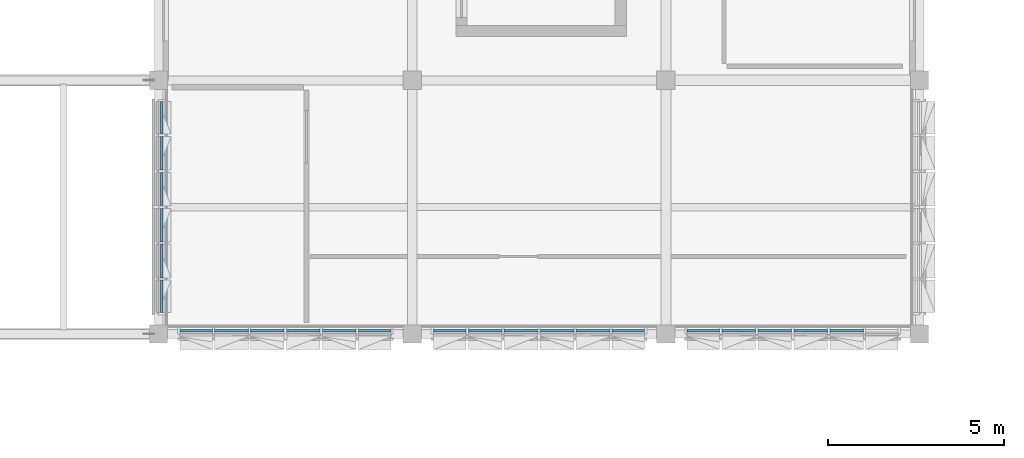
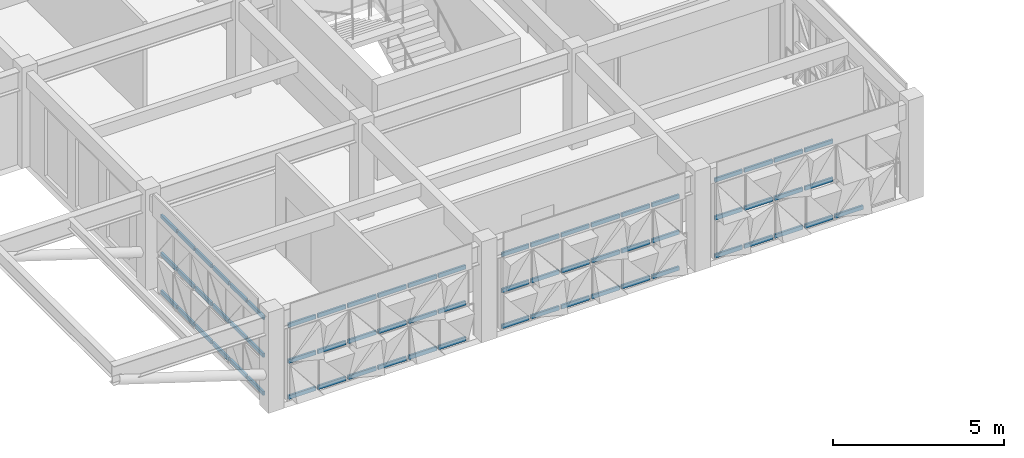
# One storey, part 14 of 48: 67 members, 4 elements without a shape of their own.
"""IFC4 building model written with IfcOpenShell, lengths in metres."""

from ifc_helpers import new_model, si_unit, direction, frame, origin, origin_2d, place, context, subcontext, project, spatial, rectangle, extrude, material, material_profile, profile_set, type_object, element, aggregate, save


model = new_model("IFC4")

# Units and contexts
model_context = context("Model", 3, precision=1e-05, world=origin(), true_north=direction((0.0, 1.0)))
body_context = subcontext(model_context, "Body", "Model", "MODEL_VIEW")
ifc_project = project(units=[si_unit("LENGTHUNIT", "METRE"), si_unit("AREAUNIT", "SQUARE_METRE"), si_unit("VOLUMEUNIT", "CUBIC_METRE"), si_unit("PLANEANGLEUNIT", "RADIAN"), si_unit("MASSUNIT", "GRAM", prefix="KILO")], contexts=[model_context])

# Site, building, storey
site_placement = place(None, origin())
site = spatial("IfcSite", under=ifc_project, at=site_placement, CompositionType="ELEMENT")
building_placement = place(site_placement, origin())
building = spatial("IfcBuilding", under=site, at=building_placement, Name="Alvorim Cloister Faculty of Sciences", CompositionType="ELEMENT")
storey_placement = place(building_placement, frame((0.0, 0.0, 19.35009765625)))
storey = spatial("IfcBuildingStorey", under=building, at=storey_placement, Name="L05", CompositionType="ELEMENT", Elevation=19.35009765625)

# Curtain wall, members
ifc_material_1 = material(Name="Aluminium and Low-E Glass Curtain Wall", Category="aluminium")
curtain_wall_type_1 = type_object("IfcCurtainWallType", Name="CW-TRI-6120x2850", PredefinedType="USERDEFINED", material=ifc_material_1)
curtain_wall_1_placement = place(storey_placement, origin())
curtain_wall_1 = element("IfcCurtainWall", 1, at=curtain_wall_1_placement, inside=storey, type_object=curtain_wall_type_1, Name="L05 Diagonal Cassette Curtain Wall CW-0213", ObjectType="UNITISED CURTAIN WALL", PredefinedType="USERDEFINED")
ifc_material_2 = material(Name="Aluminium Alloy 6063-T6", Category="aluminium")
ifc_material_profile = material_profile(ifc_material_2, rectangle(XDim=0.06494140625, YDim=0.139892578125, at=origin_2d()), Name="ALU-TRN-65x140")
ifc_profile_set = profile_set([ifc_material_profile], Name="Aluminium Alloy 6063-T6")
member_type = type_object("IfcMemberType", Name="CW-TRN-65x140", PredefinedType="USERDEFINED", material=ifc_profile_set)
member_1_placement = place(storey_placement, frame((7.2900390625, 7.804931640625, 0.06982421875), z_axis=(0.0, 1.0, 0.0), x_axis=(-1.0, 0.0, 0.0)))
member_1 = element("IfcMember", 2, at=member_1_placement, type_object=member_type, Name="CW-0213 Transom 1.1", ObjectType="TRANSOM", PredefinedType="USERDEFINED", context=body_context, shape_type="SweptSolid", body=[
    extrude(rectangle(XDim=0.06494140625, YDim=0.139892578125, at=origin_2d()), origin(), (0.0, 0.0, 1.0), 0.922607421875),
])
member_2_placement = place(storey_placement, frame((7.2900390625, 7.804931640625, 1.4248046875), z_axis=(0.0, 1.0, 0.0), x_axis=(-1.0, 0.0, 0.0)))
member_2 = element("IfcMember", 3, at=member_2_placement, type_object=member_type, Name="CW-0213 Transom 1.2", ObjectType="TRANSOM", PredefinedType="USERDEFINED", context=body_context, shape_type="SweptSolid", body=[
    extrude(rectangle(XDim=0.06494140625, YDim=0.139892578125, at=origin_2d()), origin(), (0.0, 0.0, 1.0), 0.922607421875),
])
member_3_placement = place(storey_placement, frame((7.2900390625, 7.804931640625, 2.77978515625), z_axis=(0.0, 1.0, 0.0), x_axis=(-1.0, 0.0, 0.0)))
member_3 = element("IfcMember", 4, at=member_3_placement, type_object=member_type, Name="CW-0213 Transom 1.3", ObjectType="TRANSOM", PredefinedType="USERDEFINED", context=body_context, shape_type="SweptSolid", body=[
    extrude(rectangle(XDim=0.06494140625, YDim=0.139892578125, at=origin_2d()), origin(), (0.0, 0.0, 1.0), 0.922607421875),
])
member_4_placement = place(storey_placement, frame((7.2900390625, 8.79248046875, 0.06982421875), z_axis=(0.0, 1.0, 0.0), x_axis=(-1.0, 0.0, 0.0)))
member_4 = element("IfcMember", 5, at=member_4_placement, type_object=member_type, Name="CW-0213 Transom 2.1", ObjectType="TRANSOM", PredefinedType="USERDEFINED", context=body_context, shape_type="SweptSolid", body=[
    extrude(rectangle(XDim=0.06494140625, YDim=0.139892578125, at=origin_2d()), origin(), (0.0, 0.0, 1.0), 0.955078125),
])
member_5_placement = place(storey_placement, frame((7.2900390625, 8.79248046875, 1.4248046875), z_axis=(0.0, 1.0, 0.0), x_axis=(-1.0, 0.0, 0.0)))
member_5 = element("IfcMember", 6, at=member_5_placement, type_object=member_type, Name="CW-0213 Transom 2.2", ObjectType="TRANSOM", PredefinedType="USERDEFINED", context=body_context, shape_type="SweptSolid", body=[
    extrude(rectangle(XDim=0.06494140625, YDim=0.139892578125, at=origin_2d()), origin(), (0.0, 0.0, 1.0), 0.955078125),
])
member_6_placement = place(storey_placement, frame((7.2900390625, 8.79248046875, 2.77978515625), z_axis=(0.0, 1.0, 0.0), x_axis=(-1.0, 0.0, 0.0)))
member_6 = element("IfcMember", 7, at=member_6_placement, type_object=member_type, Name="CW-0213 Transom 2.3", ObjectType="TRANSOM", PredefinedType="USERDEFINED", context=body_context, shape_type="SweptSolid", body=[
    extrude(rectangle(XDim=0.06494140625, YDim=0.139892578125, at=origin_2d()), origin(), (0.0, 0.0, 1.0), 0.955078125),
])
member_7_placement = place(storey_placement, frame((7.2900390625, 9.8125, 0.06982421875), z_axis=(0.0, 1.0, 0.0), x_axis=(-1.0, 0.0, 0.0)))
member_7 = element("IfcMember", 8, at=member_7_placement, type_object=member_type, Name="CW-0213 Transom 3.1", ObjectType="TRANSOM", PredefinedType="USERDEFINED", context=body_context, shape_type="SweptSolid", body=[
    extrude(rectangle(XDim=0.06494140625, YDim=0.139892578125, at=origin_2d()), origin(), (0.0, 0.0, 1.0), 0.955078125),
])
member_8_placement = place(storey_placement, frame((7.2900390625, 9.8125, 1.4248046875), z_axis=(0.0, 1.0, 0.0), x_axis=(-1.0, 0.0, 0.0)))
member_8 = element("IfcMember", 9, at=member_8_placement, type_object=member_type, Name="CW-0213 Transom 3.2", ObjectType="TRANSOM", PredefinedType="USERDEFINED", context=body_context, shape_type="SweptSolid", body=[
    extrude(rectangle(XDim=0.06494140625, YDim=0.139892578125, at=origin_2d()), origin(), (0.0, 0.0, 1.0), 0.955078125),
])
member_9_placement = place(storey_placement, frame((7.2900390625, 9.8125, 2.77978515625), z_axis=(0.0, 1.0, 0.0), x_axis=(-1.0, 0.0, 0.0)))
member_9 = element("IfcMember", 10, at=member_9_placement, type_object=member_type, Name="CW-0213 Transom 3.3", ObjectType="TRANSOM", PredefinedType="USERDEFINED", context=body_context, shape_type="SweptSolid", body=[
    extrude(rectangle(XDim=0.06494140625, YDim=0.139892578125, at=origin_2d()), origin(), (0.0, 0.0, 1.0), 0.955078125),
])
member_10_placement = place(storey_placement, frame((7.2900390625, 10.83251953125, 0.06982421875), z_axis=(0.0, 1.0, 0.0), x_axis=(-1.0, 0.0, 0.0)))
member_10 = element("IfcMember", 11, at=member_10_placement, type_object=member_type, Name="CW-0213 Transom 4.1", ObjectType="TRANSOM", PredefinedType="USERDEFINED", context=body_context, shape_type="SweptSolid", body=[
    extrude(rectangle(XDim=0.06494140625, YDim=0.139892578125, at=origin_2d()), origin(), (0.0, 0.0, 1.0), 0.955078125),
])
member_11_placement = place(storey_placement, frame((7.2900390625, 10.83251953125, 1.4248046875), z_axis=(0.0, 1.0, 0.0), x_axis=(-1.0, 0.0, 0.0)))
member_11 = element("IfcMember", 12, at=member_11_placement, type_object=member_type, Name="CW-0213 Transom 4.2", ObjectType="TRANSOM", PredefinedType="USERDEFINED", context=body_context, shape_type="SweptSolid", body=[
    extrude(rectangle(XDim=0.06494140625, YDim=0.139892578125, at=origin_2d()), origin(), (0.0, 0.0, 1.0), 0.955078125),
])
member_12_placement = place(storey_placement, frame((7.2900390625, 10.83251953125, 2.77978515625), z_axis=(0.0, 1.0, 0.0), x_axis=(-1.0, 0.0, 0.0)))
member_12 = element("IfcMember", 13, at=member_12_placement, type_object=member_type, Name="CW-0213 Transom 4.3", ObjectType="TRANSOM", PredefinedType="USERDEFINED", context=body_context, shape_type="SweptSolid", body=[
    extrude(rectangle(XDim=0.06494140625, YDim=0.139892578125, at=origin_2d()), origin(), (0.0, 0.0, 1.0), 0.955078125),
])
member_13_placement = place(storey_placement, frame((7.2900390625, 11.8525390625, 0.06982421875), z_axis=(0.0, 1.0, 0.0), x_axis=(-1.0, 0.0, 0.0)))
member_13 = element("IfcMember", 14, at=member_13_placement, type_object=member_type, Name="CW-0213 Transom 5.1", ObjectType="TRANSOM", PredefinedType="USERDEFINED", context=body_context, shape_type="SweptSolid", body=[
    extrude(rectangle(XDim=0.06494140625, YDim=0.139892578125, at=origin_2d()), origin(), (0.0, 0.0, 1.0), 0.955078125),
])
member_14_placement = place(storey_placement, frame((7.2900390625, 11.8525390625, 1.4248046875), z_axis=(0.0, 1.0, 0.0), x_axis=(-1.0, 0.0, 0.0)))
member_14 = element("IfcMember", 15, at=member_14_placement, type_object=member_type, Name="CW-0213 Transom 5.2", ObjectType="TRANSOM", PredefinedType="USERDEFINED", context=body_context, shape_type="SweptSolid", body=[
    extrude(rectangle(XDim=0.06494140625, YDim=0.139892578125, at=origin_2d()), origin(), (0.0, 0.0, 1.0), 0.955078125),
])
member_15_placement = place(storey_placement, frame((7.2900390625, 11.8525390625, 2.77978515625), z_axis=(0.0, 1.0, 0.0), x_axis=(-1.0, 0.0, 0.0)))
member_15 = element("IfcMember", 16, at=member_15_placement, type_object=member_type, Name="CW-0213 Transom 5.3", ObjectType="TRANSOM", PredefinedType="USERDEFINED", context=body_context, shape_type="SweptSolid", body=[
    extrude(rectangle(XDim=0.06494140625, YDim=0.139892578125, at=origin_2d()), origin(), (0.0, 0.0, 1.0), 0.955078125),
])
member_16_placement = place(storey_placement, frame((7.2900390625, 12.87255859375, 0.06982421875), z_axis=(0.0, 1.0, 0.0), x_axis=(-1.0, 0.0, 0.0)))
member_16 = element("IfcMember", 17, at=member_16_placement, type_object=member_type, Name="CW-0213 Transom 6.1", ObjectType="TRANSOM", PredefinedType="USERDEFINED", context=body_context, shape_type="SweptSolid", body=[
    extrude(rectangle(XDim=0.06494140625, YDim=0.139892578125, at=origin_2d()), origin(), (0.0, 0.0, 1.0), 0.92236328125),
])
member_17_placement = place(storey_placement, frame((7.2900390625, 12.87255859375, 1.4248046875), z_axis=(0.0, 1.0, 0.0), x_axis=(-1.0, 0.0, 0.0)))
member_17 = element("IfcMember", 18, at=member_17_placement, type_object=member_type, Name="CW-0213 Transom 6.2", ObjectType="TRANSOM", PredefinedType="USERDEFINED", context=body_context, shape_type="SweptSolid", body=[
    extrude(rectangle(XDim=0.06494140625, YDim=0.139892578125, at=origin_2d()), origin(), (0.0, 0.0, 1.0), 0.92236328125),
])
member_18_placement = place(storey_placement, frame((7.2900390625, 12.87255859375, 2.77978515625), z_axis=(0.0, 1.0, 0.0), x_axis=(-1.0, 0.0, 0.0)))
member_18 = element("IfcMember", 19, at=member_18_placement, type_object=member_type, Name="CW-0213 Transom 6.3", ObjectType="TRANSOM", PredefinedType="USERDEFINED", context=body_context, shape_type="SweptSolid", body=[
    extrude(rectangle(XDim=0.06494140625, YDim=0.139892578125, at=origin_2d()), origin(), (0.0, 0.0, 1.0), 0.92236328125),
])
aggregate(curtain_wall_1, [member_1, member_2, member_3, member_4, member_5, member_6, member_7, member_8, member_9, member_10, member_11, member_12, member_13, member_14, member_15, member_16, member_17, member_18])

curtain_wall_2_placement = place(storey_placement, origin())
curtain_wall_2 = element("IfcCurtainWall", 20, at=curtain_wall_2_placement, inside=storey, type_object=curtain_wall_type_1, Name="L05 Diagonal Cassette Curtain Wall CW-0237", ObjectType="UNITISED CURTAIN WALL", PredefinedType="USERDEFINED")
member_19_placement = place(storey_placement, frame((22.205078125, 7.2900390625, 0.06982421875), z_axis=(1.0, 0.0, 0.0), x_axis=(0.0, 1.0, 0.0)))
member_19 = element("IfcMember", 21, at=member_19_placement, type_object=member_type, Name="CW-0237 Transom 1.1", ObjectType="TRANSOM", PredefinedType="USERDEFINED", context=body_context, shape_type="SweptSolid", body=[
    extrude(rectangle(XDim=0.06494140625, YDim=0.139892578125, at=origin_2d()), origin(), (0.0, 0.0, 1.0), 0.92236328125),
])
member_20_placement = place(storey_placement, frame((22.205078125, 7.2900390625, 1.4248046875), z_axis=(1.0, 0.0, 0.0), x_axis=(0.0, 1.0, 0.0)))
member_20 = element("IfcMember", 22, at=member_20_placement, type_object=member_type, Name="CW-0237 Transom 1.2", ObjectType="TRANSOM", PredefinedType="USERDEFINED", context=body_context, shape_type="SweptSolid", body=[
    extrude(rectangle(XDim=0.06494140625, YDim=0.139892578125, at=origin_2d()), origin(), (0.0, 0.0, 1.0), 0.92236328125),
])
member_21_placement = place(storey_placement, frame((22.205078125, 7.2900390625, 2.77978515625), z_axis=(1.0, 0.0, 0.0), x_axis=(0.0, 1.0, 0.0)))
member_21 = element("IfcMember", 23, at=member_21_placement, type_object=member_type, Name="CW-0237 Transom 1.3", ObjectType="TRANSOM", PredefinedType="USERDEFINED", context=body_context, shape_type="SweptSolid", body=[
    extrude(rectangle(XDim=0.06494140625, YDim=0.139892578125, at=origin_2d()), origin(), (0.0, 0.0, 1.0), 0.92236328125),
])
member_22_placement = place(storey_placement, frame((23.1923828125, 7.2900390625, 0.06982421875), z_axis=(1.0, 0.0, 0.0), x_axis=(0.0, 1.0, 0.0)))
member_22 = element("IfcMember", 24, at=member_22_placement, type_object=member_type, Name="CW-0237 Transom 2.1", ObjectType="TRANSOM", PredefinedType="USERDEFINED", context=body_context, shape_type="SweptSolid", body=[
    extrude(rectangle(XDim=0.06494140625, YDim=0.139892578125, at=origin_2d()), origin(), (0.0, 0.0, 1.0), 0.955078125),
])
member_23_placement = place(storey_placement, frame((23.1923828125, 7.2900390625, 1.4248046875), z_axis=(1.0, 0.0, 0.0), x_axis=(0.0, 1.0, 0.0)))
member_23 = element("IfcMember", 25, at=member_23_placement, type_object=member_type, Name="CW-0237 Transom 2.2", ObjectType="TRANSOM", PredefinedType="USERDEFINED", context=body_context, shape_type="SweptSolid", body=[
    extrude(rectangle(XDim=0.06494140625, YDim=0.139892578125, at=origin_2d()), origin(), (0.0, 0.0, 1.0), 0.955078125),
])
member_24_placement = place(storey_placement, frame((23.1923828125, 7.2900390625, 2.77978515625), z_axis=(1.0, 0.0, 0.0), x_axis=(0.0, 1.0, 0.0)))
member_24 = element("IfcMember", 26, at=member_24_placement, type_object=member_type, Name="CW-0237 Transom 2.3", ObjectType="TRANSOM", PredefinedType="USERDEFINED", context=body_context, shape_type="SweptSolid", body=[
    extrude(rectangle(XDim=0.06494140625, YDim=0.139892578125, at=origin_2d()), origin(), (0.0, 0.0, 1.0), 0.955078125),
])
member_25_placement = place(storey_placement, frame((24.21240234375, 7.2900390625, 0.06982421875), z_axis=(1.0, 0.0, 0.0), x_axis=(0.0, 1.0, 0.0)))
member_25 = element("IfcMember", 27, at=member_25_placement, type_object=member_type, Name="CW-0237 Transom 3.1", ObjectType="TRANSOM", PredefinedType="USERDEFINED", context=body_context, shape_type="SweptSolid", body=[
    extrude(rectangle(XDim=0.06494140625, YDim=0.139892578125, at=origin_2d()), origin(), (0.0, 0.0, 1.0), 0.955078125),
])
member_26_placement = place(storey_placement, frame((24.21240234375, 7.2900390625, 1.4248046875), z_axis=(1.0, 0.0, 0.0), x_axis=(0.0, 1.0, 0.0)))
member_26 = element("IfcMember", 28, at=member_26_placement, type_object=member_type, Name="CW-0237 Transom 3.2", ObjectType="TRANSOM", PredefinedType="USERDEFINED", context=body_context, shape_type="SweptSolid", body=[
    extrude(rectangle(XDim=0.06494140625, YDim=0.139892578125, at=origin_2d()), origin(), (0.0, 0.0, 1.0), 0.955078125),
])
member_27_placement = place(storey_placement, frame((24.21240234375, 7.2900390625, 2.77978515625), z_axis=(1.0, 0.0, 0.0), x_axis=(0.0, 1.0, 0.0)))
member_27 = element("IfcMember", 29, at=member_27_placement, type_object=member_type, Name="CW-0237 Transom 3.3", ObjectType="TRANSOM", PredefinedType="USERDEFINED", context=body_context, shape_type="SweptSolid", body=[
    extrude(rectangle(XDim=0.06494140625, YDim=0.139892578125, at=origin_2d()), origin(), (0.0, 0.0, 1.0), 0.955078125),
])
member_28_placement = place(storey_placement, frame((25.232421875, 7.2900390625, 0.06982421875), z_axis=(1.0, 0.0, 0.0), x_axis=(0.0, 1.0, 0.0)))
member_28 = element("IfcMember", 30, at=member_28_placement, type_object=member_type, Name="CW-0237 Transom 4.1", ObjectType="TRANSOM", PredefinedType="USERDEFINED", context=body_context, shape_type="SweptSolid", body=[
    extrude(rectangle(XDim=0.06494140625, YDim=0.139892578125, at=origin_2d()), origin(), (0.0, 0.0, 1.0), 0.955078125),
])
member_29_placement = place(storey_placement, frame((25.232421875, 7.2900390625, 1.4248046875), z_axis=(1.0, 0.0, 0.0), x_axis=(0.0, 1.0, 0.0)))
member_29 = element("IfcMember", 31, at=member_29_placement, type_object=member_type, Name="CW-0237 Transom 4.2", ObjectType="TRANSOM", PredefinedType="USERDEFINED", context=body_context, shape_type="SweptSolid", body=[
    extrude(rectangle(XDim=0.06494140625, YDim=0.139892578125, at=origin_2d()), origin(), (0.0, 0.0, 1.0), 0.955078125),
])
member_30_placement = place(storey_placement, frame((25.232421875, 7.2900390625, 2.77978515625), z_axis=(1.0, 0.0, 0.0), x_axis=(0.0, 1.0, 0.0)))
member_30 = element("IfcMember", 32, at=member_30_placement, type_object=member_type, Name="CW-0237 Transom 4.3", ObjectType="TRANSOM", PredefinedType="USERDEFINED", context=body_context, shape_type="SweptSolid", body=[
    extrude(rectangle(XDim=0.06494140625, YDim=0.139892578125, at=origin_2d()), origin(), (0.0, 0.0, 1.0), 0.955078125),
])
member_31_placement = place(storey_placement, frame((26.25244140625, 7.2900390625, 0.06982421875), z_axis=(1.0, 0.0, 0.0), x_axis=(0.0, 1.0, 0.0)))
member_31 = element("IfcMember", 33, at=member_31_placement, type_object=member_type, Name="CW-0237 Transom 5.1", ObjectType="TRANSOM", PredefinedType="USERDEFINED", context=body_context, shape_type="SweptSolid", body=[
    extrude(rectangle(XDim=0.06494140625, YDim=0.139892578125, at=origin_2d()), origin(), (0.0, 0.0, 1.0), 0.955078125),
])
aggregate(curtain_wall_2, [member_19, member_20, member_21, member_22, member_23, member_24, member_25, member_26, member_27, member_28, member_29, member_30, member_31])

curtain_wall_type_2 = type_object("IfcCurtainWallType", Name="CW-TRI-6120x2706", PredefinedType="USERDEFINED", material=ifc_material_1)
curtain_wall_3_placement = place(storey_placement, origin())
curtain_wall_3 = element("IfcCurtainWall", 34, at=curtain_wall_3_placement, inside=storey, type_object=curtain_wall_type_2, Name="L05 Diagonal Cassette Curtain Wall CW-0238", ObjectType="UNITISED CURTAIN WALL", PredefinedType="USERDEFINED")
member_32_placement = place(storey_placement, frame((15.0048828125, 7.2900390625, 0.06982421875), z_axis=(1.0, 0.0, 0.0), x_axis=(0.0, 1.0, 0.0)))
member_32 = element("IfcMember", 35, at=member_32_placement, type_object=member_type, Name="CW-0238 Transom 1.1", ObjectType="TRANSOM", PredefinedType="USERDEFINED", context=body_context, shape_type="SweptSolid", body=[
    extrude(rectangle(XDim=0.06494140625, YDim=0.139892578125, at=origin_2d()), origin(), (0.0, 0.0, 1.0), 0.922607421875),
])
member_33_placement = place(storey_placement, frame((15.0048828125, 7.2900390625, 1.352783203125), z_axis=(1.0, 0.0, 0.0), x_axis=(0.0, 1.0, 0.0)))
member_33 = element("IfcMember", 36, at=member_33_placement, type_object=member_type, Name="CW-0238 Transom 1.2", ObjectType="TRANSOM", PredefinedType="USERDEFINED", context=body_context, shape_type="SweptSolid", body=[
    extrude(rectangle(XDim=0.06494140625, YDim=0.139892578125, at=origin_2d()), origin(), (0.0, 0.0, 1.0), 0.922607421875),
])
member_34_placement = place(storey_placement, frame((15.0048828125, 7.2900390625, 2.635986328125), z_axis=(1.0, 0.0, 0.0), x_axis=(0.0, 1.0, 0.0)))
member_34 = element("IfcMember", 37, at=member_34_placement, type_object=member_type, Name="CW-0238 Transom 1.3", ObjectType="TRANSOM", PredefinedType="USERDEFINED", context=body_context, shape_type="SweptSolid", body=[
    extrude(rectangle(XDim=0.06494140625, YDim=0.139892578125, at=origin_2d()), origin(), (0.0, 0.0, 1.0), 0.922607421875),
])
member_35_placement = place(storey_placement, frame((15.992431640625, 7.2900390625, 0.06982421875), z_axis=(1.0, 0.0, 0.0), x_axis=(0.0, 1.0, 0.0)))
member_35 = element("IfcMember", 38, at=member_35_placement, type_object=member_type, Name="CW-0238 Transom 2.1", ObjectType="TRANSOM", PredefinedType="USERDEFINED", context=body_context, shape_type="SweptSolid", body=[
    extrude(rectangle(XDim=0.06494140625, YDim=0.139892578125, at=origin_2d()), origin(), (0.0, 0.0, 1.0), 0.955078125),
])
member_36_placement = place(storey_placement, frame((15.992431640625, 7.2900390625, 1.352783203125), z_axis=(1.0, 0.0, 0.0), x_axis=(0.0, 1.0, 0.0)))
member_36 = element("IfcMember", 39, at=member_36_placement, type_object=member_type, Name="CW-0238 Transom 2.2", ObjectType="TRANSOM", PredefinedType="USERDEFINED", context=body_context, shape_type="SweptSolid", body=[
    extrude(rectangle(XDim=0.06494140625, YDim=0.139892578125, at=origin_2d()), origin(), (0.0, 0.0, 1.0), 0.955078125),
])
member_37_placement = place(storey_placement, frame((15.992431640625, 7.2900390625, 2.635986328125), z_axis=(1.0, 0.0, 0.0), x_axis=(0.0, 1.0, 0.0)))
member_37 = element("IfcMember", 40, at=member_37_placement, type_object=member_type, Name="CW-0238 Transom 2.3", ObjectType="TRANSOM", PredefinedType="USERDEFINED", context=body_context, shape_type="SweptSolid", body=[
    extrude(rectangle(XDim=0.06494140625, YDim=0.139892578125, at=origin_2d()), origin(), (0.0, 0.0, 1.0), 0.955078125),
])
member_38_placement = place(storey_placement, frame((17.012451171875, 7.2900390625, 0.06982421875), z_axis=(1.0, 0.0, 0.0), x_axis=(0.0, 1.0, 0.0)))
member_38 = element("IfcMember", 41, at=member_38_placement, type_object=member_type, Name="CW-0238 Transom 3.1", ObjectType="TRANSOM", PredefinedType="USERDEFINED", context=body_context, shape_type="SweptSolid", body=[
    extrude(rectangle(XDim=0.06494140625, YDim=0.139892578125, at=origin_2d()), origin(), (0.0, 0.0, 1.0), 0.955078125),
])
member_39_placement = place(storey_placement, frame((17.012451171875, 7.2900390625, 1.352783203125), z_axis=(1.0, 0.0, 0.0), x_axis=(0.0, 1.0, 0.0)))
member_39 = element("IfcMember", 42, at=member_39_placement, type_object=member_type, Name="CW-0238 Transom 3.2", ObjectType="TRANSOM", PredefinedType="USERDEFINED", context=body_context, shape_type="SweptSolid", body=[
    extrude(rectangle(XDim=0.06494140625, YDim=0.139892578125, at=origin_2d()), origin(), (0.0, 0.0, 1.0), 0.955078125),
])
member_40_placement = place(storey_placement, frame((17.012451171875, 7.2900390625, 2.635986328125), z_axis=(1.0, 0.0, 0.0), x_axis=(0.0, 1.0, 0.0)))
member_40 = element("IfcMember", 43, at=member_40_placement, type_object=member_type, Name="CW-0238 Transom 3.3", ObjectType="TRANSOM", PredefinedType="USERDEFINED", context=body_context, shape_type="SweptSolid", body=[
    extrude(rectangle(XDim=0.06494140625, YDim=0.139892578125, at=origin_2d()), origin(), (0.0, 0.0, 1.0), 0.955078125),
])
member_41_placement = place(storey_placement, frame((18.032470703125, 7.2900390625, 0.06982421875), z_axis=(1.0, 0.0, 0.0), x_axis=(0.0, 1.0, 0.0)))
member_41 = element("IfcMember", 44, at=member_41_placement, type_object=member_type, Name="CW-0238 Transom 4.1", ObjectType="TRANSOM", PredefinedType="USERDEFINED", context=body_context, shape_type="SweptSolid", body=[
    extrude(rectangle(XDim=0.06494140625, YDim=0.139892578125, at=origin_2d()), origin(), (0.0, 0.0, 1.0), 0.955078125),
])
member_42_placement = place(storey_placement, frame((18.032470703125, 7.2900390625, 1.352783203125), z_axis=(1.0, 0.0, 0.0), x_axis=(0.0, 1.0, 0.0)))
member_42 = element("IfcMember", 45, at=member_42_placement, type_object=member_type, Name="CW-0238 Transom 4.2", ObjectType="TRANSOM", PredefinedType="USERDEFINED", context=body_context, shape_type="SweptSolid", body=[
    extrude(rectangle(XDim=0.06494140625, YDim=0.139892578125, at=origin_2d()), origin(), (0.0, 0.0, 1.0), 0.955078125),
])
member_43_placement = place(storey_placement, frame((18.032470703125, 7.2900390625, 2.635986328125), z_axis=(1.0, 0.0, 0.0), x_axis=(0.0, 1.0, 0.0)))
member_43 = element("IfcMember", 46, at=member_43_placement, type_object=member_type, Name="CW-0238 Transom 4.3", ObjectType="TRANSOM", PredefinedType="USERDEFINED", context=body_context, shape_type="SweptSolid", body=[
    extrude(rectangle(XDim=0.06494140625, YDim=0.139892578125, at=origin_2d()), origin(), (0.0, 0.0, 1.0), 0.955078125),
])
member_44_placement = place(storey_placement, frame((19.052490234375, 7.2900390625, 0.06982421875), z_axis=(1.0, 0.0, 0.0), x_axis=(0.0, 1.0, 0.0)))
member_44 = element("IfcMember", 47, at=member_44_placement, type_object=member_type, Name="CW-0238 Transom 5.1", ObjectType="TRANSOM", PredefinedType="USERDEFINED", context=body_context, shape_type="SweptSolid", body=[
    extrude(rectangle(XDim=0.06494140625, YDim=0.139892578125, at=origin_2d()), origin(), (0.0, 0.0, 1.0), 0.955078125),
])
member_45_placement = place(storey_placement, frame((19.052490234375, 7.2900390625, 1.352783203125), z_axis=(1.0, 0.0, 0.0), x_axis=(0.0, 1.0, 0.0)))
member_45 = element("IfcMember", 48, at=member_45_placement, type_object=member_type, Name="CW-0238 Transom 5.2", ObjectType="TRANSOM", PredefinedType="USERDEFINED", context=body_context, shape_type="SweptSolid", body=[
    extrude(rectangle(XDim=0.06494140625, YDim=0.139892578125, at=origin_2d()), origin(), (0.0, 0.0, 1.0), 0.955078125),
])
member_46_placement = place(storey_placement, frame((19.052490234375, 7.2900390625, 2.635986328125), z_axis=(1.0, 0.0, 0.0), x_axis=(0.0, 1.0, 0.0)))
member_46 = element("IfcMember", 49, at=member_46_placement, type_object=member_type, Name="CW-0238 Transom 5.3", ObjectType="TRANSOM", PredefinedType="USERDEFINED", context=body_context, shape_type="SweptSolid", body=[
    extrude(rectangle(XDim=0.06494140625, YDim=0.139892578125, at=origin_2d()), origin(), (0.0, 0.0, 1.0), 0.955078125),
])
member_47_placement = place(storey_placement, frame((20.072509765625, 7.2900390625, 0.06982421875), z_axis=(1.0, 0.0, 0.0), x_axis=(0.0, 1.0, 0.0)))
member_47 = element("IfcMember", 50, at=member_47_placement, type_object=member_type, Name="CW-0238 Transom 6.1", ObjectType="TRANSOM", PredefinedType="USERDEFINED", context=body_context, shape_type="SweptSolid", body=[
    extrude(rectangle(XDim=0.06494140625, YDim=0.139892578125, at=origin_2d()), origin(), (0.0, 0.0, 1.0), 0.922607421875),
])
member_48_placement = place(storey_placement, frame((20.072509765625, 7.2900390625, 1.352783203125), z_axis=(1.0, 0.0, 0.0), x_axis=(0.0, 1.0, 0.0)))
member_48 = element("IfcMember", 51, at=member_48_placement, type_object=member_type, Name="CW-0238 Transom 6.2", ObjectType="TRANSOM", PredefinedType="USERDEFINED", context=body_context, shape_type="SweptSolid", body=[
    extrude(rectangle(XDim=0.06494140625, YDim=0.139892578125, at=origin_2d()), origin(), (0.0, 0.0, 1.0), 0.922607421875),
])
member_49_placement = place(storey_placement, frame((20.072509765625, 7.2900390625, 2.635986328125), z_axis=(1.0, 0.0, 0.0), x_axis=(0.0, 1.0, 0.0)))
member_49 = element("IfcMember", 52, at=member_49_placement, type_object=member_type, Name="CW-0238 Transom 6.3", ObjectType="TRANSOM", PredefinedType="USERDEFINED", context=body_context, shape_type="SweptSolid", body=[
    extrude(rectangle(XDim=0.06494140625, YDim=0.139892578125, at=origin_2d()), origin(), (0.0, 0.0, 1.0), 0.922607421875),
])
aggregate(curtain_wall_3, [member_32, member_33, member_34, member_35, member_36, member_37, member_38, member_39, member_40, member_41, member_42, member_43, member_44, member_45, member_46, member_47, member_48, member_49])

curtain_wall_4_placement = place(storey_placement, origin())
curtain_wall_4 = element("IfcCurtainWall", 53, at=curtain_wall_4_placement, inside=storey, type_object=curtain_wall_type_2, Name="L05 Diagonal Cassette Curtain Wall CW-0239", ObjectType="UNITISED CURTAIN WALL", PredefinedType="USERDEFINED")
member_50_placement = place(storey_placement, frame((7.804931640625, 7.2900390625, 0.06982421875), z_axis=(1.0, 0.0, 0.0), x_axis=(0.0, 1.0, 0.0)))
member_50 = element("IfcMember", 54, at=member_50_placement, type_object=member_type, Name="CW-0239 Transom 1.1", ObjectType="TRANSOM", PredefinedType="USERDEFINED", context=body_context, shape_type="SweptSolid", body=[
    extrude(rectangle(XDim=0.06494140625, YDim=0.139892578125, at=origin_2d()), origin(), (0.0, 0.0, 1.0), 0.922607421875),
])
member_51_placement = place(storey_placement, frame((7.804931640625, 7.2900390625, 1.352783203125), z_axis=(1.0, 0.0, 0.0), x_axis=(0.0, 1.0, 0.0)))
member_51 = element("IfcMember", 55, at=member_51_placement, type_object=member_type, Name="CW-0239 Transom 1.2", ObjectType="TRANSOM", PredefinedType="USERDEFINED", context=body_context, shape_type="SweptSolid", body=[
    extrude(rectangle(XDim=0.06494140625, YDim=0.139892578125, at=origin_2d()), origin(), (0.0, 0.0, 1.0), 0.922607421875),
])
member_52_placement = place(storey_placement, frame((7.804931640625, 7.2900390625, 2.635986328125), z_axis=(1.0, 0.0, 0.0), x_axis=(0.0, 1.0, 0.0)))
member_52 = element("IfcMember", 56, at=member_52_placement, type_object=member_type, Name="CW-0239 Transom 1.3", ObjectType="TRANSOM", PredefinedType="USERDEFINED", context=body_context, shape_type="SweptSolid", body=[
    extrude(rectangle(XDim=0.06494140625, YDim=0.139892578125, at=origin_2d()), origin(), (0.0, 0.0, 1.0), 0.922607421875),
])
member_53_placement = place(storey_placement, frame((8.79248046875, 7.2900390625, 0.06982421875), z_axis=(1.0, 0.0, 0.0), x_axis=(0.0, 1.0, 0.0)))
member_53 = element("IfcMember", 57, at=member_53_placement, type_object=member_type, Name="CW-0239 Transom 2.1", ObjectType="TRANSOM", PredefinedType="USERDEFINED", context=body_context, shape_type="SweptSolid", body=[
    extrude(rectangle(XDim=0.06494140625, YDim=0.139892578125, at=origin_2d()), origin(), (0.0, 0.0, 1.0), 0.955078125),
])
member_54_placement = place(storey_placement, frame((8.79248046875, 7.2900390625, 1.352783203125), z_axis=(1.0, 0.0, 0.0), x_axis=(0.0, 1.0, 0.0)))
member_54 = element("IfcMember", 58, at=member_54_placement, type_object=member_type, Name="CW-0239 Transom 2.2", ObjectType="TRANSOM", PredefinedType="USERDEFINED", context=body_context, shape_type="SweptSolid", body=[
    extrude(rectangle(XDim=0.06494140625, YDim=0.139892578125, at=origin_2d()), origin(), (0.0, 0.0, 1.0), 0.955078125),
])
member_55_placement = place(storey_placement, frame((8.79248046875, 7.2900390625, 2.635986328125), z_axis=(1.0, 0.0, 0.0), x_axis=(0.0, 1.0, 0.0)))
member_55 = element("IfcMember", 59, at=member_55_placement, type_object=member_type, Name="CW-0239 Transom 2.3", ObjectType="TRANSOM", PredefinedType="USERDEFINED", context=body_context, shape_type="SweptSolid", body=[
    extrude(rectangle(XDim=0.06494140625, YDim=0.139892578125, at=origin_2d()), origin(), (0.0, 0.0, 1.0), 0.955078125),
])
member_56_placement = place(storey_placement, frame((9.8125, 7.2900390625, 0.06982421875), z_axis=(1.0, 0.0, 0.0), x_axis=(0.0, 1.0, 0.0)))
member_56 = element("IfcMember", 60, at=member_56_placement, type_object=member_type, Name="CW-0239 Transom 3.1", ObjectType="TRANSOM", PredefinedType="USERDEFINED", context=body_context, shape_type="SweptSolid", body=[
    extrude(rectangle(XDim=0.06494140625, YDim=0.139892578125, at=origin_2d()), origin(), (0.0, 0.0, 1.0), 0.955078125),
])
member_57_placement = place(storey_placement, frame((9.8125, 7.2900390625, 1.352783203125), z_axis=(1.0, 0.0, 0.0), x_axis=(0.0, 1.0, 0.0)))
member_57 = element("IfcMember", 61, at=member_57_placement, type_object=member_type, Name="CW-0239 Transom 3.2", ObjectType="TRANSOM", PredefinedType="USERDEFINED", context=body_context, shape_type="SweptSolid", body=[
    extrude(rectangle(XDim=0.06494140625, YDim=0.139892578125, at=origin_2d()), origin(), (0.0, 0.0, 1.0), 0.955078125),
])
member_58_placement = place(storey_placement, frame((9.8125, 7.2900390625, 2.635986328125), z_axis=(1.0, 0.0, 0.0), x_axis=(0.0, 1.0, 0.0)))
member_58 = element("IfcMember", 62, at=member_58_placement, type_object=member_type, Name="CW-0239 Transom 3.3", ObjectType="TRANSOM", PredefinedType="USERDEFINED", context=body_context, shape_type="SweptSolid", body=[
    extrude(rectangle(XDim=0.06494140625, YDim=0.139892578125, at=origin_2d()), origin(), (0.0, 0.0, 1.0), 0.955078125),
])
member_59_placement = place(storey_placement, frame((10.83251953125, 7.2900390625, 0.06982421875), z_axis=(1.0, 0.0, 0.0), x_axis=(0.0, 1.0, 0.0)))
member_59 = element("IfcMember", 63, at=member_59_placement, type_object=member_type, Name="CW-0239 Transom 4.1", ObjectType="TRANSOM", PredefinedType="USERDEFINED", context=body_context, shape_type="SweptSolid", body=[
    extrude(rectangle(XDim=0.06494140625, YDim=0.139892578125, at=origin_2d()), origin(), (0.0, 0.0, 1.0), 0.955078125),
])
member_60_placement = place(storey_placement, frame((10.83251953125, 7.2900390625, 1.352783203125), z_axis=(1.0, 0.0, 0.0), x_axis=(0.0, 1.0, 0.0)))
member_60 = element("IfcMember", 64, at=member_60_placement, type_object=member_type, Name="CW-0239 Transom 4.2", ObjectType="TRANSOM", PredefinedType="USERDEFINED", context=body_context, shape_type="SweptSolid", body=[
    extrude(rectangle(XDim=0.06494140625, YDim=0.139892578125, at=origin_2d()), origin(), (0.0, 0.0, 1.0), 0.955078125),
])
member_61_placement = place(storey_placement, frame((10.83251953125, 7.2900390625, 2.635986328125), z_axis=(1.0, 0.0, 0.0), x_axis=(0.0, 1.0, 0.0)))
member_61 = element("IfcMember", 65, at=member_61_placement, type_object=member_type, Name="CW-0239 Transom 4.3", ObjectType="TRANSOM", PredefinedType="USERDEFINED", context=body_context, shape_type="SweptSolid", body=[
    extrude(rectangle(XDim=0.06494140625, YDim=0.139892578125, at=origin_2d()), origin(), (0.0, 0.0, 1.0), 0.955078125),
])
member_62_placement = place(storey_placement, frame((11.8525390625, 7.2900390625, 0.06982421875), z_axis=(1.0, 0.0, 0.0), x_axis=(0.0, 1.0, 0.0)))
member_62 = element("IfcMember", 66, at=member_62_placement, type_object=member_type, Name="CW-0239 Transom 5.1", ObjectType="TRANSOM", PredefinedType="USERDEFINED", context=body_context, shape_type="SweptSolid", body=[
    extrude(rectangle(XDim=0.06494140625, YDim=0.139892578125, at=origin_2d()), origin(), (0.0, 0.0, 1.0), 0.955078125),
])
member_63_placement = place(storey_placement, frame((11.8525390625, 7.2900390625, 1.352783203125), z_axis=(1.0, 0.0, 0.0), x_axis=(0.0, 1.0, 0.0)))
member_63 = element("IfcMember", 67, at=member_63_placement, type_object=member_type, Name="CW-0239 Transom 5.2", ObjectType="TRANSOM", PredefinedType="USERDEFINED", context=body_context, shape_type="SweptSolid", body=[
    extrude(rectangle(XDim=0.06494140625, YDim=0.139892578125, at=origin_2d()), origin(), (0.0, 0.0, 1.0), 0.955078125),
])
member_64_placement = place(storey_placement, frame((11.8525390625, 7.2900390625, 2.635986328125), z_axis=(1.0, 0.0, 0.0), x_axis=(0.0, 1.0, 0.0)))
member_64 = element("IfcMember", 68, at=member_64_placement, type_object=member_type, Name="CW-0239 Transom 5.3", ObjectType="TRANSOM", PredefinedType="USERDEFINED", context=body_context, shape_type="SweptSolid", body=[
    extrude(rectangle(XDim=0.06494140625, YDim=0.139892578125, at=origin_2d()), origin(), (0.0, 0.0, 1.0), 0.955078125),
])
member_65_placement = place(storey_placement, frame((12.87255859375, 7.2900390625, 0.06982421875), z_axis=(1.0, 0.0, 0.0), x_axis=(0.0, 1.0, 0.0)))
member_65 = element("IfcMember", 69, at=member_65_placement, type_object=member_type, Name="CW-0239 Transom 6.1", ObjectType="TRANSOM", PredefinedType="USERDEFINED", context=body_context, shape_type="SweptSolid", body=[
    extrude(rectangle(XDim=0.06494140625, YDim=0.139892578125, at=origin_2d()), origin(), (0.0, 0.0, 1.0), 0.92236328125),
])
member_66_placement = place(storey_placement, frame((12.87255859375, 7.2900390625, 1.352783203125), z_axis=(1.0, 0.0, 0.0), x_axis=(0.0, 1.0, 0.0)))
member_66 = element("IfcMember", 70, at=member_66_placement, type_object=member_type, Name="CW-0239 Transom 6.2", ObjectType="TRANSOM", PredefinedType="USERDEFINED", context=body_context, shape_type="SweptSolid", body=[
    extrude(rectangle(XDim=0.06494140625, YDim=0.139892578125, at=origin_2d()), origin(), (0.0, 0.0, 1.0), 0.92236328125),
])
member_67_placement = place(storey_placement, frame((12.87255859375, 7.2900390625, 2.635986328125), z_axis=(1.0, 0.0, 0.0), x_axis=(0.0, 1.0, 0.0)))
member_67 = element("IfcMember", 71, at=member_67_placement, type_object=member_type, Name="CW-0239 Transom 6.3", ObjectType="TRANSOM", PredefinedType="USERDEFINED", context=body_context, shape_type="SweptSolid", body=[
    extrude(rectangle(XDim=0.06494140625, YDim=0.139892578125, at=origin_2d()), origin(), (0.0, 0.0, 1.0), 0.92236328125),
])
aggregate(curtain_wall_4, [member_50, member_51, member_52, member_53, member_54, member_55, member_56, member_57, member_58, member_59, member_60, member_61, member_62, member_63, member_64, member_65, member_66, member_67])

save(model, "model.ifc")
